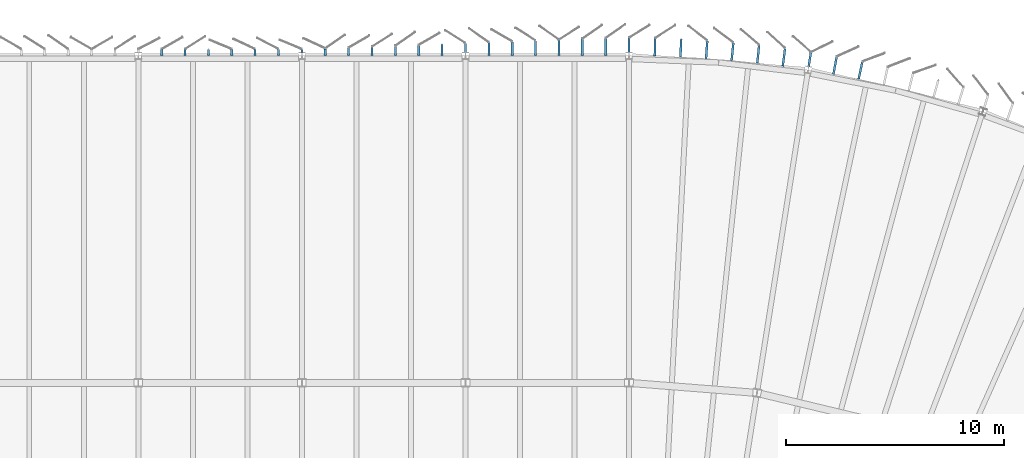
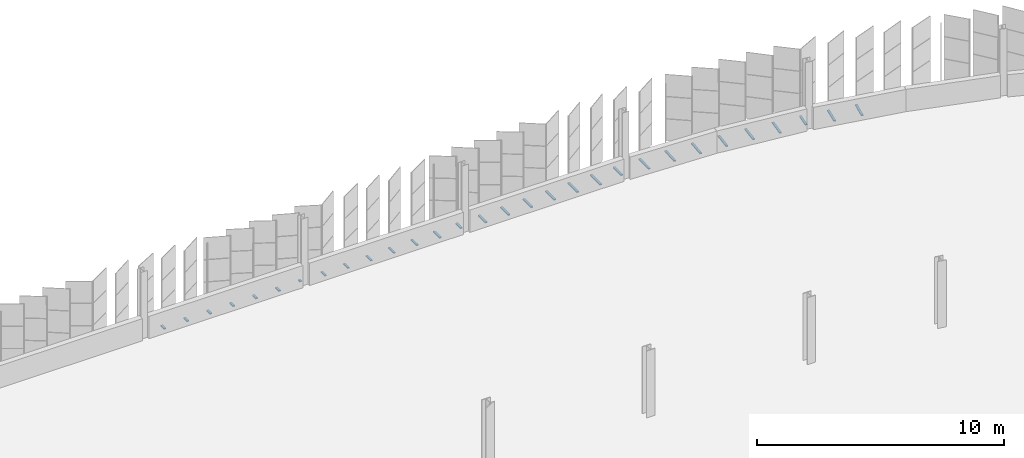
# One storey, part 192 of 214: 30 discrete accessories.
"""IFC4 building model written with IfcOpenShell, lengths in metres."""

from ifc_helpers import new_model, si_unit, direction, frame, origin, origin_2d, place, context, subcontext, project, spatial, rectangle, extrude, material, type_object, element, save


model = new_model("IFC4")

# Units and contexts
model_context = context("Model", 3, precision=1e-05, world=origin(), true_north=direction((0.0, 1.0)))
body_context = subcontext(model_context, "Body", "Model", "MODEL_VIEW")
ifc_project = project(units=[si_unit("LENGTHUNIT", "METRE"), si_unit("AREAUNIT", "SQUARE_METRE"), si_unit("VOLUMEUNIT", "CUBIC_METRE"), si_unit("PLANEANGLEUNIT", "RADIAN"), si_unit("MASSUNIT", "GRAM", prefix="KILO")], contexts=[model_context])

# Site, building, storey
site_placement = place(None, origin())
site = spatial("IfcSite", under=ifc_project, at=site_placement, CompositionType="ELEMENT")
building_placement = place(site_placement, origin())
building = spatial("IfcBuilding", under=site, at=building_placement, Name="Parallax Yard Mobility Hub", CompositionType="ELEMENT")
storey_placement = place(building_placement, frame((0.0, 0.0, 3.300048828125)))
storey = spatial("IfcBuildingStorey", under=building, at=storey_placement, Name="L01", CompositionType="ELEMENT", Elevation=3.300048828125)

# Discrete accessories
ifc_material = material(Name="Steel ASTM A36, hot-dip galvanised", Category="steel")
discrete_accessory_type = type_object("IfcDiscreteAccessoryType", Name="Hinge bracket plate 100x50", PredefinedType="BRACKET", material=ifc_material)
for number, where, z_axis, x_axis, name in (
    (1, (183.113037109375, 141.82666015625, -0.02490234375), (0.0, 0.0, 1.0), (0.212564824432, 0.977146967152, 0.0), "Hinge bracket plate bay 49.6 level L01"),
    (2, (181.9462890625, 142.048828125, -0.02490234375), (0.0, 0.0, 1.0), (0.184575772126, 0.982818286533, 0.0), "Hinge bracket plate bay 49.7 level L01"),
):
    element("IfcDiscreteAccessory", number, at=place(storey_placement, frame(where, z_axis=z_axis, x_axis=x_axis)), inside=storey, type_object=discrete_accessory_type, Name=name, PredefinedType="BRACKET", context=body_context, shape_type="SweptSolid", body=[
        extrude(rectangle(XDim=0.80810546875, YDim=0.10009765625, at=origin_2d()), origin(), (0.0, 0.0, 1.0), 0.050048828125),
    ])
discrete_accessory_1_placement = place(storey_placement, frame((180.78759765625, 142.323974609375, -0.02490234375), z_axis=(0.0, 0.0, 1.0), x_axis=(0.15643446504, 0.987688340595, 0.0)))
element("IfcDiscreteAccessory", 3, at=discrete_accessory_1_placement, inside=storey, type_object=discrete_accessory_type, Name="Hinge bracket plate bay 50.1 level L01", PredefinedType="BRACKET", context=body_context, shape_type="SweptSolid", body=[
    extrude(rectangle(XDim=0.652099609375, YDim=0.10009765625, at=origin_2d()), origin(), (0.0, 0.0, 1.0), 0.050048828125),
])
for number, where, z_axis, x_axis, name in (
    (4, (179.600830078125, 142.42041015625, -0.02490234375), (0.0, 0.0, 1.0), (0.12816556209, 0.991752786078, 0.0), "Hinge bracket plate bay 50.2 level L01"),
    (5, (178.422607421875, 142.569580078125, -0.02490234375), (0.0, 0.0, 1.0), (0.099793857441, 0.995008133644, 0.0), "Hinge bracket plate bay 50.3 level L01"),
    (6, (177.243896484375, 142.687744140625, -0.02490234375), (0.0, 0.0, 1.0), (0.099793857441, 0.995008133644, 0.0), "Hinge bracket plate bay 50.4 level L01"),
    (7, (176.06005859375, 142.778564453125, -0.02490234375), (0.0, 0.0, 1.0), (0.071339024937, 0.997452125929, 0.0), "Hinge bracket plate bay 50.5 level L01"),
    (8, (174.87451171875, 142.844970703125, -0.02490234375), (0.0, 0.0, 1.0), (0.042826004716, 0.999082545799, 0.0), "Hinge bracket plate bay 50.6 level L01"),
    (9, (173.687744140625, 142.88671875, -0.02490234375), (0.0, 0.0, 1.0), (0.01427979859, 0.999898038478, 0.0), "Hinge bracket plate bay 50.7 level L01"),
):
    element("IfcDiscreteAccessory", number, at=place(storey_placement, frame(where, z_axis=z_axis, x_axis=x_axis)), inside=storey, type_object=discrete_accessory_type, Name=name, PredefinedType="BRACKET", context=body_context, shape_type="SweptSolid", body=[
        extrude(rectangle(XDim=0.80810546875, YDim=0.10009765625, at=origin_2d()), origin(), (0.0, 0.0, 1.0), 0.050048828125),
    ])
discrete_accessory_2_placement = place(storey_placement, frame((172.501953125, 142.9814453125, -0.02490234375), z_axis=(0.0, 0.0, 1.0), x_axis=(0.0, 1.0, 0.0)))
element("IfcDiscreteAccessory", 10, at=discrete_accessory_2_placement, inside=storey, type_object=discrete_accessory_type, Name="Hinge bracket plate bay 51.1 level L01", PredefinedType="BRACKET", context=body_context, shape_type="SweptSolid", body=[
    extrude(rectangle(XDim=0.652099609375, YDim=0.10009765625, at=origin_2d()), origin(), (0.0, 0.0, 1.0), 0.050048828125),
])
discrete_accessory_3_placement = place(storey_placement, frame((171.430419921875, 142.8974609375, -0.02490234375), z_axis=(0.0, 0.0, 1.0), x_axis=(0.0, 1.0, 0.0)))
element("IfcDiscreteAccessory", 11, at=discrete_accessory_3_placement, inside=storey, type_object=discrete_accessory_type, Name="Hinge bracket plate bay 51.2 level L01", PredefinedType="BRACKET", context=body_context, shape_type="SweptSolid", body=[
    extrude(rectangle(XDim=0.7958984375, YDim=0.10009765625, at=origin_2d()), origin(), (0.0, 0.0, 1.0), 0.050048828125),
])
discrete_accessory_4_placement = place(storey_placement, frame((170.35888671875, 142.87744140625, -0.02490234375), z_axis=(0.0, 0.0, 1.0), x_axis=(0.0, 1.0, 0.0)))
element("IfcDiscreteAccessory", 12, at=discrete_accessory_4_placement, inside=storey, type_object=discrete_accessory_type, Name="Hinge bracket plate bay 51.3 level L01", PredefinedType="BRACKET", context=body_context, shape_type="SweptSolid", body=[
    extrude(rectangle(XDim=0.755859375, YDim=0.10009765625, at=origin_2d()), origin(), (0.0, 0.0, 1.0), 0.050048828125),
])
discrete_accessory_5_placement = place(storey_placement, frame((169.287109375, 142.857421875, -0.02490234375), z_axis=(0.0, 0.0, 1.0), x_axis=(0.0, 1.0, 0.0)))
element("IfcDiscreteAccessory", 13, at=discrete_accessory_5_placement, inside=storey, type_object=discrete_accessory_type, Name="Hinge bracket plate bay 51.4 level L01", PredefinedType="BRACKET", context=body_context, shape_type="SweptSolid", body=[
    extrude(rectangle(XDim=0.7158203125, YDim=0.10009765625, at=origin_2d()), origin(), (0.0, 0.0, 1.0), 0.050048828125),
])
discrete_accessory_6_placement = place(storey_placement, frame((168.215576171875, 142.83740234375, -0.02490234375), z_axis=(0.0, 0.0, 1.0), x_axis=(0.0, 1.0, 0.0)))
element("IfcDiscreteAccessory", 14, at=discrete_accessory_6_placement, inside=storey, type_object=discrete_accessory_type, Name="Hinge bracket plate bay 51.5 level L01", PredefinedType="BRACKET", context=body_context, shape_type="SweptSolid", body=[
    extrude(rectangle(XDim=0.67578125, YDim=0.10009765625, at=origin_2d()), origin(), (0.0, 0.0, 1.0), 0.050048828125),
])
discrete_accessory_7_placement = place(storey_placement, frame((167.14404296875, 142.8173828125, -0.02490234375), z_axis=(0.0, 0.0, 1.0), x_axis=(0.0, 1.0, 0.0)))
element("IfcDiscreteAccessory", 15, at=discrete_accessory_7_placement, inside=storey, type_object=discrete_accessory_type, Name="Hinge bracket plate bay 51.6 level L01", PredefinedType="BRACKET", context=body_context, shape_type="SweptSolid", body=[
    extrude(rectangle(XDim=0.635498046875, YDim=0.10009765625, at=origin_2d()), origin(), (0.0, 0.0, 1.0), 0.050048828125),
])
discrete_accessory_8_placement = place(storey_placement, frame((166.072509765625, 142.797119140625, -0.02490234375), z_axis=(0.0, 0.0, 1.0), x_axis=(0.0, 1.0, 0.0)))
element("IfcDiscreteAccessory", 16, at=discrete_accessory_8_placement, inside=storey, type_object=discrete_accessory_type, Name="Hinge bracket plate bay 51.7 level L01", PredefinedType="BRACKET", context=body_context, shape_type="SweptSolid", body=[
    extrude(rectangle(XDim=0.595458984375, YDim=0.10009765625, at=origin_2d()), origin(), (0.0, 0.0, 1.0), 0.050048828125),
])
discrete_accessory_9_placement = place(storey_placement, frame((165.0009765625, 142.855224609375, -0.02490234375), z_axis=(0.0, 0.0, 1.0), x_axis=(0.0, 1.0, 0.0)))
element("IfcDiscreteAccessory", 17, at=discrete_accessory_9_placement, inside=storey, type_object=discrete_accessory_type, Name="Hinge bracket plate bay 52.1 level L01", PredefinedType="BRACKET", context=body_context, shape_type="SweptSolid", body=[
    extrude(rectangle(XDim=0.3994140625, YDim=0.10009765625, at=origin_2d()), origin(), (0.0, 0.0, 1.0), 0.050048828125),
])
discrete_accessory_10_placement = place(storey_placement, frame((163.929443359375, 142.757080078125, -0.02490234375), z_axis=(0.0, 0.0, 1.0), x_axis=(0.0, 1.0, 0.0)))
element("IfcDiscreteAccessory", 18, at=discrete_accessory_10_placement, inside=storey, type_object=discrete_accessory_type, Name="Hinge bracket plate bay 52.2 level L01", PredefinedType="BRACKET", context=body_context, shape_type="SweptSolid", body=[
    extrude(rectangle(XDim=0.515380859375, YDim=0.10009765625, at=origin_2d()), origin(), (0.0, 0.0, 1.0), 0.050048828125),
])
discrete_accessory_11_placement = place(storey_placement, frame((162.85791015625, 142.737060546875, -0.02490234375), z_axis=(0.0, 0.0, 1.0), x_axis=(0.0, 1.0, 0.0)))
element("IfcDiscreteAccessory", 19, at=discrete_accessory_11_placement, inside=storey, type_object=discrete_accessory_type, Name="Hinge bracket plate bay 52.3 level L01", PredefinedType="BRACKET", context=body_context, shape_type="SweptSolid", body=[
    extrude(rectangle(XDim=0.47509765625, YDim=0.10009765625, at=origin_2d()), origin(), (0.0, 0.0, 1.0), 0.050048828125),
])
discrete_accessory_12_placement = place(storey_placement, frame((161.786376953125, 142.717041015625, -0.02490234375), z_axis=(0.0, 0.0, 1.0), x_axis=(0.0, 1.0, 0.0)))
element("IfcDiscreteAccessory", 20, at=discrete_accessory_12_placement, inside=storey, type_object=discrete_accessory_type, Name="Hinge bracket plate bay 52.4 level L01", PredefinedType="BRACKET", context=body_context, shape_type="SweptSolid", body=[
    extrude(rectangle(XDim=0.43505859375, YDim=0.10009765625, at=origin_2d()), origin(), (0.0, 0.0, 1.0), 0.050048828125),
])
discrete_accessory_13_placement = place(storey_placement, frame((160.71484375, 142.697021484375, -0.02490234375), z_axis=(0.0, 0.0, 1.0), x_axis=(0.0, 1.0, 0.0)))
element("IfcDiscreteAccessory", 21, at=discrete_accessory_13_placement, inside=storey, type_object=discrete_accessory_type, Name="Hinge bracket plate bay 52.5 level L01", PredefinedType="BRACKET", context=body_context, shape_type="SweptSolid", body=[
    extrude(rectangle(XDim=0.39501953125, YDim=0.10009765625, at=origin_2d()), origin(), (0.0, 0.0, 1.0), 0.050048828125),
])
discrete_accessory_14_placement = place(storey_placement, frame((159.643310546875, 142.677001953125, -0.02490234375), z_axis=(0.0, 0.0, 1.0), x_axis=(0.0, 1.0, 0.0)))
element("IfcDiscreteAccessory", 22, at=discrete_accessory_14_placement, inside=storey, type_object=discrete_accessory_type, Name="Hinge bracket plate bay 52.6 level L01", PredefinedType="BRACKET", context=body_context, shape_type="SweptSolid", body=[
    extrude(rectangle(XDim=0.35498046875, YDim=0.10009765625, at=origin_2d()), origin(), (0.0, 0.0, 1.0), 0.050048828125),
])
discrete_accessory_15_placement = place(storey_placement, frame((158.571533203125, 142.656982421875, -0.02490234375), z_axis=(0.0, 0.0, 1.0), x_axis=(0.0, 1.0, 0.0)))
element("IfcDiscreteAccessory", 23, at=discrete_accessory_15_placement, inside=storey, type_object=discrete_accessory_type, Name="Hinge bracket plate bay 52.7 level L01", PredefinedType="BRACKET", context=body_context, shape_type="SweptSolid", body=[
    extrude(rectangle(XDim=0.31494140625, YDim=0.10009765625, at=origin_2d()), origin(), (0.0, 0.0, 1.0), 0.050048828125),
])
discrete_accessory_16_placement = place(storey_placement, frame((157.5, 142.719482421875, -0.02490234375), z_axis=(0.0, 0.0, 1.0), x_axis=(0.0, 1.0, 0.0)))
element("IfcDiscreteAccessory", 24, at=discrete_accessory_16_placement, inside=storey, type_object=discrete_accessory_type, Name="Hinge bracket plate bay 53.1 level L01", PredefinedType="BRACKET", context=body_context, shape_type="SweptSolid", body=[
    extrude(rectangle(XDim=0.128173828125, YDim=0.10009765625, at=origin_2d()), origin(), (0.0, 0.0, 1.0), 0.050048828125),
])
for number, where, z_axis, x_axis, name in (
    (25, (156.428466796875, 142.6416015625, -0.02490234375), (0.0, 0.0, 1.0), (0.0, 1.0, 0.0), "Hinge bracket plate bay 53.2 level L01"),
    (26, (155.35693359375, 142.6416015625, -0.02490234375), (0.0, 0.0, 1.0), (0.0, 1.0, 0.0), "Hinge bracket plate bay 53.3 level L01"),
    (27, (154.285400390625, 142.6416015625, -0.02490234375), (0.0, 0.0, 1.0), (0.0, 1.0, 0.0), "Hinge bracket plate bay 53.4 level L01"),
    (28, (153.2138671875, 142.6416015625, -0.02490234375), (0.0, 0.0, 1.0), (0.0, 1.0, 0.0), "Hinge bracket plate bay 53.5 level L01"),
    (29, (152.142333984375, 142.6416015625, -0.02490234375), (0.0, 0.0, 1.0), (0.0, 1.0, 0.0), "Hinge bracket plate bay 53.6 level L01"),
    (30, (151.07080078125, 142.6416015625, -0.02490234375), (0.0, 0.0, 1.0), (0.0, 1.0, 0.0), "Hinge bracket plate bay 53.7 level L01"),
):
    element("IfcDiscreteAccessory", number, at=place(storey_placement, frame(where, z_axis=z_axis, x_axis=x_axis)), inside=storey, type_object=discrete_accessory_type, Name=name, PredefinedType="BRACKET", context=body_context, shape_type="SweptSolid", body=[
        extrude(rectangle(XDim=0.2841796875, YDim=0.10009765625, at=origin_2d()), origin(), (0.0, 0.0, 1.0), 0.050048828125),
    ])

save(model, "model.ifc")
